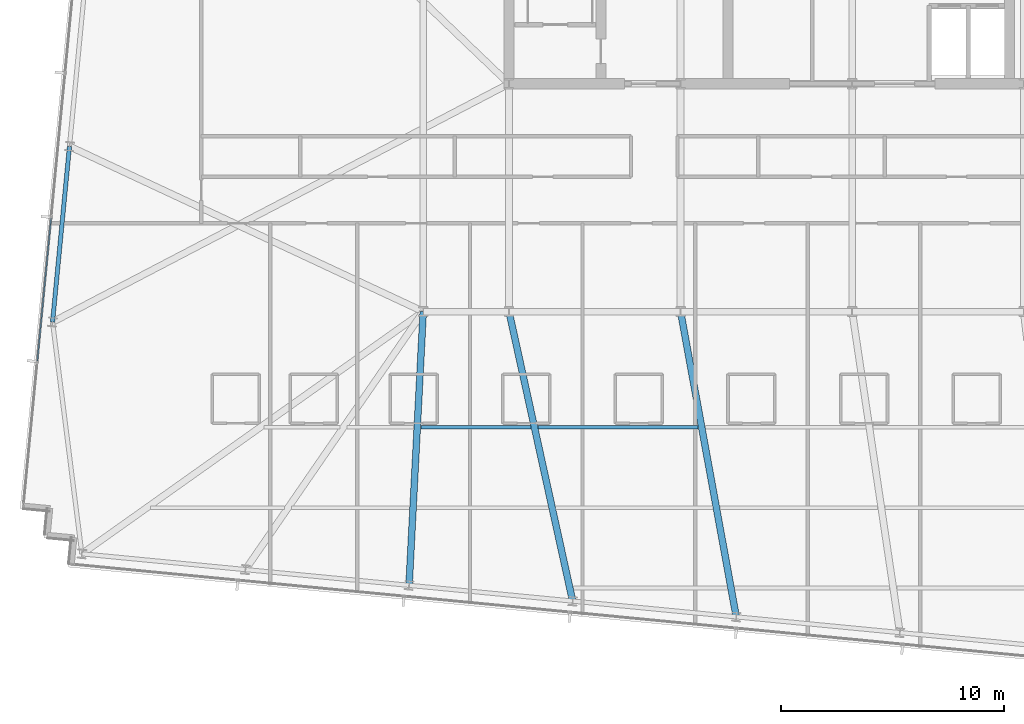
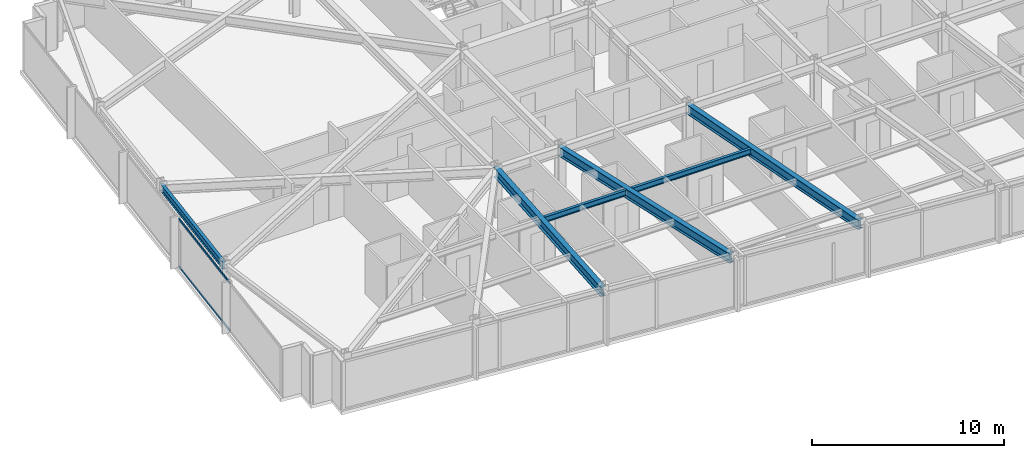
# One storey, part 7 of 37: 6 beams, 2 members, 1 element without a shape of its own.
"""IFC4 building model written with IfcOpenShell, lengths in metres."""

from ifc_helpers import new_model, si_unit, direction, frame, origin, origin_2d, place, context, subcontext, project, spatial, hollow_rectangle, i_section, extrude, material, material_profile, profile_set, type_object, element, aggregate, save


model = new_model("IFC4")

# Units and contexts
model_context = context("Model", 3, precision=1e-05, world=origin(), true_north=direction((0.0, 1.0)))
body_context = subcontext(model_context, "Body", "Model", "MODEL_VIEW")
ifc_project = project(units=[si_unit("LENGTHUNIT", "METRE"), si_unit("AREAUNIT", "SQUARE_METRE"), si_unit("VOLUMEUNIT", "CUBIC_METRE"), si_unit("PLANEANGLEUNIT", "RADIAN"), si_unit("MASSUNIT", "GRAM", prefix="KILO")], contexts=[model_context])

# Site, building, storey
site_placement = place(None, origin())
site = spatial("IfcSite", under=ifc_project, at=site_placement, CompositionType="ELEMENT")
building_placement = place(site_placement, origin())
building = spatial("IfcBuilding", under=site, at=building_placement, Name="Yelkora Congress Tower", CompositionType="ELEMENT")
storey_placement = place(building_placement, frame((0.0, 0.0, 182.0)))
storey = spatial("IfcBuildingStorey", under=building, at=storey_placement, Name="L50", CompositionType="ELEMENT", Elevation=182.0)

# Beams
ifc_material_1 = material(Name="Steel S355J2", Category="steel")
ifc_material_profile_1 = material_profile(ifc_material_1, i_section(OverallWidth=0.300048828125, OverallDepth=0.60009765625, WebThickness=0.015380859375, FlangeThickness=0.030029296875, FilletRadius=0.027099609375, at=origin_2d()), Name="HEB 600")
ifc_profile_set_1 = profile_set([ifc_material_profile_1], Name="Steel S355J2")
beam_type_1 = type_object("IfcBeamType", Name="BM-GIRD-HEB600", PredefinedType="BEAM", material=ifc_profile_set_1)
beam_1_placement = place(storey_placement, frame((18.56591796875, 12.947021484375, 2.780029296875), z_axis=(0.051676299428, 0.99866388744, 0.0), x_axis=(-0.99866388744, 0.051676299428, 0.0)))
element("IfcBeam", 1, at=beam_1_placement, inside=storey, type_object=beam_type_1, Name="L50 Primary Frame Girder S03", PredefinedType="BEAM", context=body_context, shape_type="SweptSolid", body=[
    extrude(i_section(OverallWidth=0.300048828125, OverallDepth=0.60009765625, WebThickness=0.015380859375, FlangeThickness=0.030029296875, FilletRadius=0.027099609375, at=origin_2d()), origin(), (0.0, 0.0, 1.0), 12.269287109375),
])
beam_2_placement = place(storey_placement, frame((25.888916015625, 12.24169921875, 2.780029296875), z_axis=(-0.214722420774, 0.976675115899, 0.0), x_axis=(-0.976675115899, -0.214722420774, 0.0)))
element("IfcBeam", 2, at=beam_2_placement, inside=storey, type_object=beam_type_1, Name="L50 Primary Frame Girder S04", PredefinedType="BEAM", context=body_context, shape_type="SweptSolid", body=[
    extrude(i_section(OverallWidth=0.300048828125, OverallDepth=0.60009765625, WebThickness=0.015380859375, FlangeThickness=0.030029296875, FilletRadius=0.027099609375, at=origin_2d()), origin(), (0.0, 0.0, 1.0), 13.267822265625),
])
beam_3_placement = place(storey_placement, frame((33.21240234375, 11.53662109375, 2.780029296875), z_axis=(-0.179456208566, 0.983765962619, 0.0), x_axis=(-0.983765962619, -0.179456208566, 0.0)))
element("IfcBeam", 3, at=beam_3_placement, inside=storey, type_object=beam_type_1, Name="L50 Primary Frame Girder S05", PredefinedType="BEAM", context=body_context, shape_type="SweptSolid", body=[
    extrude(i_section(OverallWidth=0.300048828125, OverallDepth=0.60009765625, WebThickness=0.015380859375, FlangeThickness=0.030029296875, FilletRadius=0.027099609375, at=origin_2d()), origin(), (0.0, 0.0, 1.0), 13.888916015625),
])
ifc_material_profile_2 = material_profile(ifc_material_1, i_section(OverallWidth=0.169921875, OverallDepth=0.360107421875, WebThickness=0.008056640625, FlangeThickness=0.0126953125, FilletRadius=0.01806640625, at=origin_2d()), Name="IPE 360")
ifc_profile_set_2 = profile_set([ifc_material_profile_2], Name="Steel S355J2")
beam_type_2 = type_object("IfcBeamType", Name="BM-JOIST-IPE360", PredefinedType="JOIST", material=ifc_profile_set_2)
beam_4_placement = place(storey_placement, frame((19.092041015625, 20.021240234375, 2.89990234375), z_axis=(1.0, 0.0, 0.0), x_axis=(0.0, 1.0, 0.0)))
element("IfcBeam", 4, at=beam_4_placement, inside=storey, type_object=beam_type_2, Name="L50 Composite Floor Joist 14", PredefinedType="JOIST", context=body_context, shape_type="SweptSolid", body=[
    extrude(i_section(OverallWidth=0.169921875, OverallDepth=0.360107421875, WebThickness=0.008056640625, FlangeThickness=0.0126953125, FilletRadius=0.01806640625, at=origin_2d()), origin(), (0.0, 0.0, 1.0), 4.926513671875),
])
beam_5_placement = place(storey_placement, frame((24.338623046875, 20.021240234375, 2.89990234375), z_axis=(1.0, 0.0, 0.0), x_axis=(0.0, 1.0, 0.0)))
element("IfcBeam", 5, at=beam_5_placement, inside=storey, type_object=beam_type_2, Name="L50 Composite Floor Joist 15", PredefinedType="JOIST", context=body_context, shape_type="SweptSolid", body=[
    extrude(i_section(OverallWidth=0.169921875, OverallDepth=0.360107421875, WebThickness=0.008056640625, FlangeThickness=0.0126953125, FilletRadius=0.01806640625, at=origin_2d()), origin(), (0.0, 0.0, 1.0), 7.166015625),
])
ifc_material_profile_3 = material_profile(ifc_material_1, i_section(OverallWidth=0.18994140625, OverallDepth=0.449951171875, WebThickness=0.009521484375, FlangeThickness=0.0146484375, FilletRadius=0.02099609375, at=origin_2d()), Name="IPE 450")
ifc_profile_set_3 = profile_set([ifc_material_profile_3], Name="Steel S355J2")
beam_type_3 = type_object("IfcBeamType", Name="BM-SPAN-IPE450", PredefinedType="SPANDREL", material=ifc_profile_set_3)
beam_6_placement = place(storey_placement, frame((3.364501953125, 32.594482421875, 2.85498046875), z_axis=(-0.095831353931, -0.995397584689, 0.0), x_axis=(0.995397584689, -0.095831353931, 0.0)))
element("IfcBeam", 6, at=beam_6_placement, inside=storey, type_object=beam_type_3, Name="L50 Perimeter Beam 18", PredefinedType="SPANDREL", context=body_context, shape_type="SweptSolid", body=[
    extrude(i_section(OverallWidth=0.18994140625, OverallDepth=0.449951171875, WebThickness=0.009521484375, FlangeThickness=0.0146484375, FilletRadius=0.02099609375, at=origin_2d()), origin(), (0.0, 0.0, 1.0), 7.900146484375),
])

# Curtain wall, members
ifc_material_2 = material(Name="Anodised aluminium and insulated glass", Category="aluminium")
curtain_wall_type = type_object("IfcCurtainWallType", Name="CW-SYS-B3", PredefinedType="NOTDEFINED", material=ifc_material_2)
curtain_wall_placement = place(storey_placement, origin())
curtain_wall = element("IfcCurtainWall", 7, at=curtain_wall_placement, inside=storey, type_object=curtain_wall_type, Name="L50 Unitised Curtain Wall 5", PredefinedType="NOTDEFINED")
ifc_material_3 = material(Name="Anodised aluminium 6063-T6", Category="aluminium")
ifc_material_profile_4 = material_profile(ifc_material_3, hollow_rectangle(XDim=0.06005859375, YDim=0.1298828125, WallThickness=0.00390625, at=origin_2d()), Name="ALU 60x130x4")
ifc_profile_set_4 = profile_set([ifc_material_profile_4], Name="Anodised aluminium 6063-T6")
member_type = type_object("IfcMemberType", Name="MEM-TR-B3", PredefinedType="USERDEFINED", material=ifc_profile_set_4)
member_1_placement = place(storey_placement, frame((1.92822265625, 22.996826171875, 0.030029296875), z_axis=(0.095843682057, 0.995396397728, 0.0), x_axis=(-0.995396397728, 0.095843682057, 0.0)))
member_1 = element("IfcMember", 8, at=member_1_placement, type_object=member_type, Name="CW-B3 transom 2.1", ObjectType="TRANSOM", PredefinedType="USERDEFINED", context=body_context, shape_type="SweptSolid", body=[
    extrude(hollow_rectangle(XDim=0.06005859375, YDim=0.1298828125, WallThickness=0.00390625, at=origin_2d()), origin(), (0.0, 0.0, 1.0), 6.4140625),
])
member_2_placement = place(storey_placement, frame((1.92822265625, 22.996826171875, 3.050048828125), z_axis=(0.095843682057, 0.995396397728, 0.0), x_axis=(-0.995396397728, 0.095843682057, 0.0)))
member_2 = element("IfcMember", 9, at=member_2_placement, type_object=member_type, Name="CW-B3 transom 2.2", ObjectType="TRANSOM", PredefinedType="USERDEFINED", context=body_context, shape_type="SweptSolid", body=[
    extrude(hollow_rectangle(XDim=0.06005859375, YDim=0.1298828125, WallThickness=0.00390625, at=origin_2d()), origin(), (0.0, 0.0, 1.0), 6.4140625),
])
aggregate(curtain_wall, [member_1, member_2])

save(model, "model.ifc")
